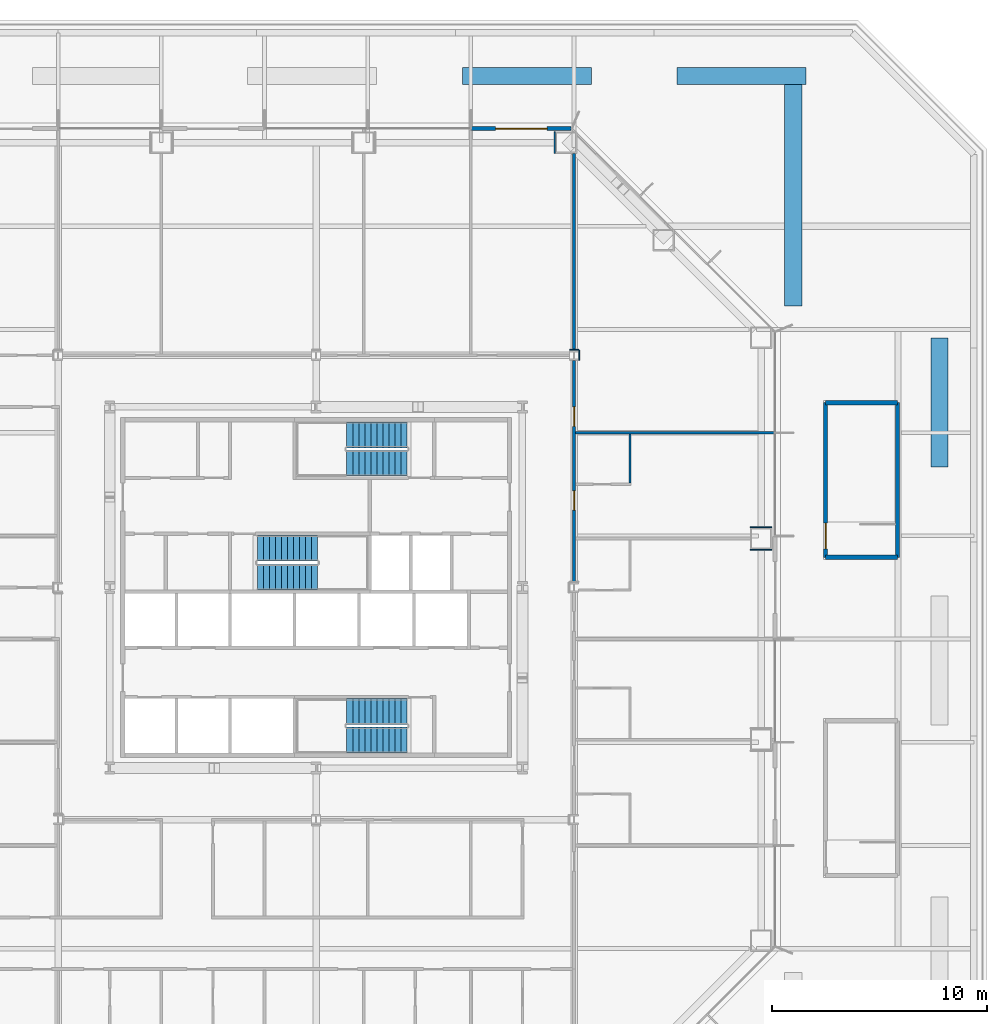
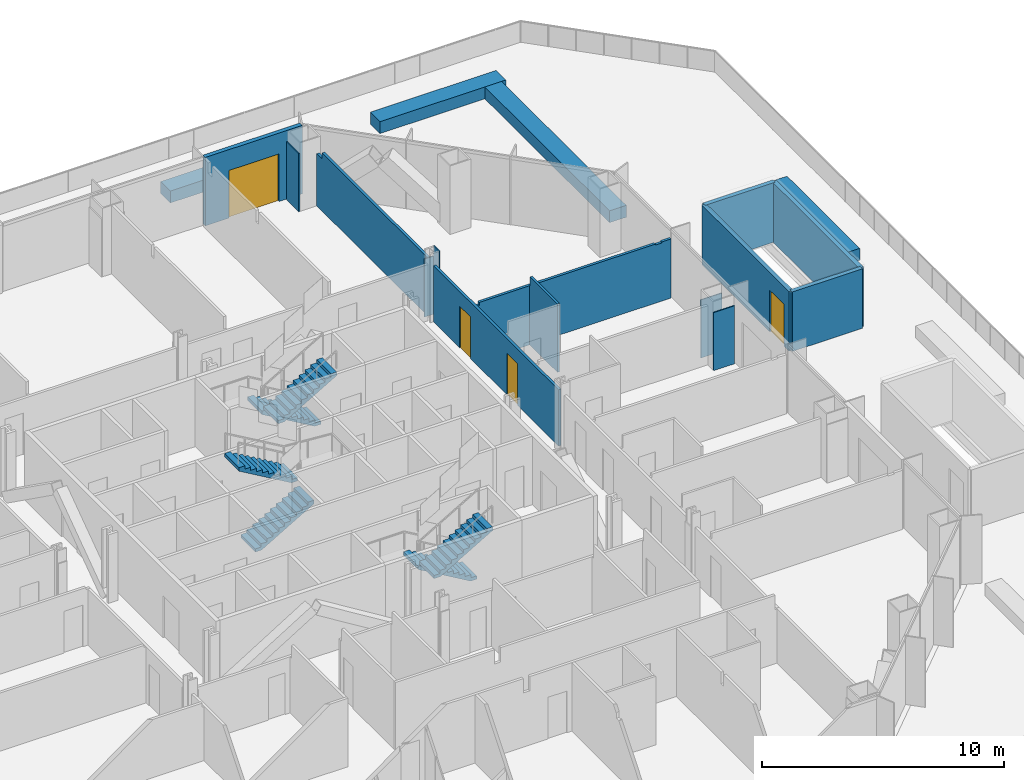
# One storey, part 17 of 18: 18 walls, 6 stair flights, 4 doors, 4 openings, 3 elements without a shape of their own.
"""IFC4 building model written with IfcOpenShell, lengths in metres."""

from ifc_helpers import new_model, si_unit, direction, frame, frame_2d, origin, place, context, subcontext, project, spatial, polyline, rectangle, outline, extrude, material, layer, layer_set, type_object, element, fill, aggregate, save


model = new_model("IFC4")

# Units and contexts
model_context = context("Model", 3, precision=1e-05, world=origin(), true_north=direction((0.0, 1.0)))
body_context = subcontext(model_context, "Body", "Model", "MODEL_VIEW")
ifc_project = project(units=[si_unit("LENGTHUNIT", "METRE"), si_unit("AREAUNIT", "SQUARE_METRE"), si_unit("VOLUMEUNIT", "CUBIC_METRE"), si_unit("PLANEANGLEUNIT", "RADIAN"), si_unit("MASSUNIT", "GRAM", prefix="KILO")], contexts=[model_context])

# Site, building, storey
site_placement = place(None, origin())
site = spatial("IfcSite", under=ifc_project, at=site_placement, CompositionType="ELEMENT")
building_placement = place(site_placement, origin())
building = spatial("IfcBuilding", under=site, at=building_placement, Name="Cairn Pilgrim Tower", CompositionType="ELEMENT")
storey_placement = place(building_placement, frame((0.0, 0.0, 40.199951171875)))
storey = spatial("IfcBuildingStorey", under=building, at=storey_placement, Name="L07", CompositionType="ELEMENT", Elevation=40.199951171875)

# Wall, opening, door
ifc_material_1 = material(Name="Bronze anodised aluminium insulated sandwich panel with mineral wool fill", Category="aluminium")
ifc_layer_1 = layer(ifc_material_1, 0.199951171875)
ifc_layer_set_1 = layer_set([ifc_layer_1], Name="BRONZE INFILL FRAME WALL 200")
wall_type_1 = type_object("IfcWallType", Name="BRONZE INFILL FRAME WALL 200", PredefinedType="NOTDEFINED", material=ifc_layer_set_1)
wall_1_placement = place(storey_placement, frame((19.056396484375, 23.75, 0.0), z_axis=(0.0, 0.0, 1.0), x_axis=(-1.0, 0.0, 0.0)))
wall_1 = element("IfcWall", 1, at=wall_1_placement, inside=storey, type_object=wall_type_1, Name="Bronze infill frame wall IW-N1", PredefinedType="NOTDEFINED", context=body_context, shape_type="SweptSolid", body=[
    extrude(rectangle(XDim=4.62646484375, YDim=0.199951171875, at=frame_2d((2.313232421875, 0.0))), origin(), (0.0, 0.0, 1.0), 3.449951171875),
])
opening_1_placement = place(wall_1_placement, frame((1.108154296875, 0.0, 0.0)))
opening_1 = element("IfcOpeningElement", 2, at=opening_1_placement, cuts=wall_1, Name="Opening 0720B", PredefinedType="OPENING", context=body_context, shape_type="SweptSolid", body=[
    extrude(rectangle(XDim=2.39990234375, YDim=2.39990234375, at=frame_2d((1.199951171875, 1.199951171875))), frame((0.0, 0.10986328125, 0.0), z_axis=(0.0, -1.0, 0.0), x_axis=(1.0, 0.0, 0.0)), (0.0, 0.0, 1.0), 0.219970703125),
])
ifc_material_2 = material(Name="Bronze anodised aluminium frame with tinted low-E glass", Category="aluminium")
door_type_1 = type_object("IfcDoorType", Name="BALCONY SLIDING DOOR 2400x2400", OperationType="DOUBLE_DOOR_SLIDING", PredefinedType="DOOR", material=ifc_material_2)
door_1_placement = place(opening_1_placement, origin())
door_1 = element("IfcDoor", 3, at=door_1_placement, inside=storey, type_object=door_type_1, Name="Balcony sliding door 0720B", OperationType="SINGLE_SWING_LEFT", OverallHeight=2.39990234375, OverallWidth=2.39990234375, PredefinedType="DOOR", context=body_context, shape_type="SweptSolid", body=[
    extrude(rectangle(XDim=2.39990234375, YDim=2.39990234375, at=frame_2d((1.199951171875, 1.199951171875))), frame((0.0, 0.02490234375, 0.0), z_axis=(0.0, -1.0, 0.0), x_axis=(1.0, 0.0, 0.0)), (0.0, 0.0, 1.0), 0.050048828125),
])
fill(opening_1, door_1)

# Wall
ifc_material_3 = material(Name="Gypsum partition")
ifc_layer_2 = layer(ifc_material_3, 0.10009765625)
ifc_layer_set_2 = layer_set([ifc_layer_2], Name="PARTITION 100 DRYWALL")
wall_type_2 = type_object("IfcWallType", Name="PARTITION 100 DRYWALL", PredefinedType="PARTITIONING", material=ifc_layer_set_2)
wall_2_placement = place(storey_placement, frame((21.800048828125, 7.25, 0.0), z_axis=(0.0, 0.0, 1.0), x_axis=(0.0, 1.0, 0.0)))
element("IfcWall", 4, at=wall_2_placement, inside=storey, type_object=wall_type_2, Name="PARTITION W070", PredefinedType="PARTITIONING", context=body_context, shape_type="SweptSolid", body=[
    extrude(outline(polyline([(0.0, 0.0), (2.28759765625, 0.0), (2.28759765625, 2.97998046875), (2.2548828125, 2.97998046875), (2.2529296875, 3.449951171875), (0.0, 3.449951171875), (0.0, 0.0)])), frame((0.0, 0.050048828125, 0.0), z_axis=(0.0, -1.0, 0.0), x_axis=(1.0, 0.0, 0.0)), (0.0, 0.0, 1.0), 0.10009765625),
])

# Wall, openings, doors
ifc_layer_3 = layer(ifc_material_3, 0.125)
ifc_layer_set_3 = layer_set([ifc_layer_3], Name="PARTITION 125 DRYWALL EI 60")
wall_type_3 = type_object("IfcWallType", Name="PARTITION 125 DRYWALL EI 60", PredefinedType="PARTITIONING", material=ifc_layer_set_3)
wall_3_placement = place(storey_placement, frame((19.199951171875, 2.636962890625, 0.0), z_axis=(0.0, 0.0, 1.0), x_axis=(0.0, 1.0, 0.0)))
wall_3 = element("IfcWall", 5, at=wall_3_placement, inside=storey, type_object=wall_type_3, Name="PARTITION W063", PredefinedType="PARTITIONING", context=body_context, shape_type="SweptSolid", body=[
    extrude(rectangle(XDim=10.325927734375, YDim=0.125, at=frame_2d((5.1630859375, 0.0))), origin(), (0.0, 0.0, 1.0), 2.830078125),
])
opening_2_placement = place(wall_3_placement, frame((3.363037109375, 0.0, 0.0)))
opening_2 = element("IfcOpeningElement", 6, at=opening_2_placement, cuts=wall_3, Name="Opening 0725", PredefinedType="OPENING", context=body_context, shape_type="SweptSolid", body=[
    extrude(rectangle(XDim=0.89990234375, YDim=2.10009765625, at=frame_2d((0.449951171875, 1.050048828125))), frame((0.0, 0.072509765625, 0.0), z_axis=(0.0, -1.0, 0.0), x_axis=(1.0, 0.0, 0.0)), (0.0, 0.0, 1.0), 0.14501953125),
])
opening_3_placement = place(wall_3_placement, frame((7.262939453125, 0.0, 0.0)))
opening_3 = element("IfcOpeningElement", 7, at=opening_3_placement, cuts=wall_3, Name="Opening 0726", PredefinedType="OPENING", context=body_context, shape_type="SweptSolid", body=[
    extrude(rectangle(XDim=0.89990234375, YDim=2.10009765625, at=frame_2d((0.449951171875, 1.050048828125))), frame((0.0, 0.072509765625, 0.0), z_axis=(0.0, -1.0, 0.0), x_axis=(1.0, 0.0, 0.0)), (0.0, 0.0, 1.0), 0.14501953125),
])
ifc_material_4 = material(Name="Steel-faced fire door leaf", Category="steel")
door_type_2 = type_object("IfcDoorType", Name="FIRE DOOR 900x2100 FD30S", OperationType="NOTDEFINED", PredefinedType="DOOR", material=ifc_material_4)
door_2_placement = place(opening_2_placement, frame((0.89990234375, 0.0, 0.0), z_axis=(0.0, 0.0, 1.0), x_axis=(-1.0, 0.0, 0.0)))
door_2 = element("IfcDoor", 8, at=door_2_placement, inside=storey, type_object=door_type_2, Name="DOOR 0725", OperationType="SINGLE_SWING_LEFT", OverallHeight=2.10009765625, OverallWidth=0.89990234375, PredefinedType="DOOR", context=body_context, shape_type="SweptSolid", body=[
    extrude(rectangle(XDim=0.89990234375, YDim=2.10009765625, at=frame_2d((0.449951171875, 1.050048828125))), frame((0.0, 0.02490234375, 0.0), z_axis=(0.0, -1.0, 0.0), x_axis=(1.0, 0.0, 0.0)), (0.0, 0.0, 1.0), 0.050048828125),
])
fill(opening_2, door_2)
door_3_placement = place(opening_3_placement, frame((0.89990234375, 0.0, 0.0), z_axis=(0.0, 0.0, 1.0), x_axis=(-1.0, 0.0, 0.0)))
door_3 = element("IfcDoor", 9, at=door_3_placement, inside=storey, type_object=door_type_2, Name="DOOR 0726", OperationType="SINGLE_SWING_LEFT", OverallHeight=2.10009765625, OverallWidth=0.89990234375, PredefinedType="DOOR", context=body_context, shape_type="SweptSolid", body=[
    extrude(rectangle(XDim=0.89990234375, YDim=2.10009765625, at=frame_2d((0.449951171875, 1.050048828125))), frame((0.0, 0.02490234375, 0.0), z_axis=(0.0, -1.0, 0.0), x_axis=(1.0, 0.0, 0.0)), (0.0, 0.0, 1.0), 0.050048828125),
])
fill(opening_3, door_3)

# Walls
wall_4_placement = place(storey_placement, frame((19.262451171875, 9.60009765625, 0.0), z_axis=(0.0, 0.0, 1.0), x_axis=(1.0, 0.0, 0.0)))
element("IfcWall", 10, at=wall_4_placement, inside=storey, type_object=wall_type_3, Name="PARTITION W072", PredefinedType="PARTITIONING", context=body_context, shape_type="SweptSolid", body=[
    extrude(outline(polyline([(0.0, 0.0), (9.2275390625, 0.0), (9.2275390625, 2.97998046875), (8.78759765625, 2.97998046875), (8.785400390625, 2.929931640625), (8.487548828125, 2.929931640625), (8.485595703125, 2.97998046875), (0.08740234375, 2.97998046875), (0.08544921875, 2.830078125), (0.0, 2.830078125), (0.0, 0.0)])), frame((0.0, 0.0625, 0.0), z_axis=(0.0, -1.0, 0.0), x_axis=(1.0, 0.0, 0.0)), (0.0, 0.0, 1.0), 0.125),
])
wall_5_placement = place(storey_placement, frame((19.199951171875, 13.43701171875, 0.0), z_axis=(0.0, 0.0, 1.0), x_axis=(0.0, 1.0, 0.0)))
element("IfcWall", 11, at=wall_5_placement, inside=storey, type_object=wall_type_3, Name="PARTITION W084", PredefinedType="PARTITIONING", context=body_context, shape_type="SweptSolid", body=[
    extrude(outline(polyline([(0.0, 0.0), (9.1630859375, 0.0), (9.1630859375, 2.630126953125), (8.732666015625, 2.630126953125), (8.730712890625, 2.929931640625), (0.0, 2.929931640625), (0.0, 0.0)])), frame((0.0, 0.0625, 0.0), z_axis=(0.0, -1.0, 0.0), x_axis=(1.0, 0.0, 0.0)), (0.0, 0.0, 1.0), 0.125),
])
ifc_layer_4 = layer(ifc_material_3, 0.050048828125)
ifc_layer_set_4 = layer_set([ifc_layer_4], Name="PARTITION 50 DRYWALL EI 60")
wall_type_4 = type_object("IfcWallType", Name="PARTITION 50 DRYWALL EI 60", PredefinedType="PARTITIONING", material=ifc_layer_set_4)
wall_6_placement = place(storey_placement, frame((19.43701171875, 12.962890625, 0.0), z_axis=(0.0, 0.0, 1.0), x_axis=(0.0, 1.0, 0.0)))
element("IfcWall", 12, at=wall_6_placement, inside=storey, type_object=wall_type_4, Name="COLUMN CASING WC11", PredefinedType="PARTITIONING", context=body_context, shape_type="SweptSolid", body=[
    extrude(rectangle(XDim=0.47412109375, YDim=0.050048828125, at=frame_2d((0.237060546875, 0.0))), origin(), (0.0, 0.0, 1.0), 3.449951171875),
])
for number, where, z_axis, x_axis, name in (
    (13, (27.39990234375, 5.20068359375, 0.0), (0.0, 0.0, 1.0), (1.0, 0.0, 0.0), "COLUMN CASING WC29"),
    (14, (27.39990234375, 4.150634765625, 0.0), (0.0, 0.0, 1.0), (1.0, 0.0, 0.0), "COLUMN CASING WC30"),
):
    element("IfcWall", number, at=place(storey_placement, frame(where, z_axis=z_axis, x_axis=x_axis)), inside=storey, type_object=wall_type_4, Name=name, PredefinedType="PARTITIONING", context=body_context, shape_type="SweptSolid", body=[
        extrude(rectangle(XDim=1.0, YDim=0.050048828125, at=frame_2d((0.5, 0.0))), origin(), (0.0, 0.0, 1.0), 2.929931640625),
    ])
wall_7_placement = place(storey_placement, frame((18.988037109375, 13.4619140625, 0.0), z_axis=(0.0, 0.0, 1.0), x_axis=(1.0, 0.0, 0.0)))
element("IfcWall", 15, at=wall_7_placement, inside=storey, type_object=wall_type_4, Name="COLUMN CASING WC33", PredefinedType="PARTITIONING", context=body_context, shape_type="SweptSolid", body=[
    extrude(rectangle(XDim=0.424072265625, YDim=0.050048828125, at=frame_2d((0.2119140625, 0.0))), origin(), (0.0, 0.0, 1.0), 2.929931640625),
])
wall_8_placement = place(storey_placement, frame((18.30224609375, 22.60009765625, 0.0), z_axis=(0.0, 0.0, 1.0), x_axis=(0.0, 1.0, 0.0)))
element("IfcWall", 16, at=wall_8_placement, inside=storey, type_object=wall_type_4, Name="COLUMN CASING WC34", PredefinedType="PARTITIONING", context=body_context, shape_type="SweptSolid", body=[
    extrude(rectangle(XDim=1.0, YDim=0.050048828125, at=frame_2d((0.5, 0.0))), origin(), (0.0, 0.0, 1.0), 2.929931640625),
])
ifc_material_5 = material(Name="Concrete C35/45", Category="concrete")
ifc_layer_5 = layer(ifc_material_5, 0.800048828125)
ifc_layer_set_5 = layer_set([ifc_layer_5], Name="PLANTER TROUGH WALL 800 CONCRETE C35/45")
wall_type_5 = type_object("IfcWallType", Name="PLANTER TROUGH WALL 800 CONCRETE C35/45", PredefinedType="NOTDEFINED", material=ifc_layer_set_5)
for number, where, z_axis, x_axis, name in (
    (17, (14.0, 26.199951171875, 0.0), (0.0, 0.0, 1.0), (1.0, 0.0, 0.0), "PLANTER"),
    (18, (24.0, 26.199951171875, 0.0), (0.0, 0.0, 1.0), (1.0, 0.0, 0.0), "PLANTER"),
    (19, (36.199951171875, 8.0, 0.0), (0.0, 0.0, 1.0), (0.0, 1.0, 0.0), "PLANTER"),
):
    element("IfcWall", number, at=place(storey_placement, frame(where, z_axis=z_axis, x_axis=x_axis)), inside=storey, type_object=wall_type_5, Name=name, PredefinedType="NOTDEFINED", context=body_context, shape_type="SweptSolid", body=[
        extrude(rectangle(XDim=6.0, YDim=0.800048828125, at=frame_2d((3.0, 0.0))), origin(), (0.0, 0.0, 1.0), 0.60009765625),
    ])
wall_9_placement = place(storey_placement, frame((29.39990234375, 15.5, 0.0), z_axis=(0.0, 0.0, 1.0), x_axis=(0.0, 1.0, 0.0)))
element("IfcWall", 20, at=wall_9_placement, inside=storey, type_object=wall_type_5, Name="PLANTER", PredefinedType="NOTDEFINED", context=body_context, shape_type="SweptSolid", body=[
    extrude(rectangle(XDim=11.0, YDim=0.800048828125, at=frame_2d((5.5, 0.0))), origin(), (0.0, 0.0, 1.0), 0.60009765625),
])

# Wall, opening, door
ifc_layer_6 = layer(ifc_material_5, 0.199951171875)
ifc_layer_set_6 = layer_set([ifc_layer_6], Name="PODIUM STAIR WALL 200 EI 120")
wall_type_6 = type_object("IfcWallType", Name="PODIUM STAIR WALL 200 EI 120", PredefinedType="SOLIDWALL", material=ifc_layer_set_6)
wall_10_placement = place(storey_placement, frame((30.89990234375, 3.800048828125, 0.0), z_axis=(0.0, 0.0, 1.0), x_axis=(0.0, 1.0, 0.0)))
wall_10 = element("IfcWall", 21, at=wall_10_placement, inside=storey, type_object=wall_type_6, Name="ES3 STAIR HEAD-HOUSE WALL W", PredefinedType="SOLIDWALL", context=body_context, shape_type="SweptSolid", body=[
    extrude(rectangle(XDim=7.199951171875, YDim=0.199951171875, at=frame_2d((3.60009765625, 0.0))), origin(), (0.0, 0.0, 1.0), 3.0),
])
opening_4_placement = place(wall_10_placement, frame((0.39990234375, 0.0, 0.0)))
opening_4 = element("IfcOpeningElement", 22, at=opening_4_placement, cuts=wall_10, Name="Opening X-ES3T", PredefinedType="OPENING", context=body_context, shape_type="SweptSolid", body=[
    extrude(rectangle(XDim=1.199951171875, YDim=2.10009765625, at=frame_2d((0.60009765625, 1.050048828125))), frame((0.0, 0.10986328125, 0.0), z_axis=(0.0, -1.0, 0.0), x_axis=(1.0, 0.0, 0.0)), (0.0, 0.0, 1.0), 0.219970703125),
])
ifc_material_6 = material(Name="Painted steel", Category="steel")
door_type_3 = type_object("IfcDoorType", Name="PODIUM EXIT DOOR 1200x2100 FD60S", OperationType="SINGLE_SWING_LEFT", PredefinedType="DOOR", material=ifc_material_6)
door_4_placement = place(opening_4_placement, origin())
door_4 = element("IfcDoor", 23, at=door_4_placement, inside=storey, type_object=door_type_3, Name="X-ES3T STAIR TERRACE DOOR", OperationType="SINGLE_SWING_LEFT", OverallHeight=2.10009765625, OverallWidth=1.199951171875, PredefinedType="DOOR", context=body_context, shape_type="SweptSolid", body=[
    extrude(rectangle(XDim=1.199951171875, YDim=2.10009765625, at=frame_2d((0.60009765625, 1.050048828125))), frame((0.0, 0.02490234375, 0.0), z_axis=(0.0, -1.0, 0.0), x_axis=(1.0, 0.0, 0.0)), (0.0, 0.0, 1.0), 0.050048828125),
])
fill(opening_4, door_4)

# Walls
wall_11_placement = place(storey_placement, frame((30.89990234375, 11.0, 0.0), z_axis=(0.0, 0.0, 1.0), x_axis=(1.0, 0.0, 0.0)))
element("IfcWall", 24, at=wall_11_placement, inside=storey, type_object=wall_type_6, Name="ES3 STAIR HEAD-HOUSE WALL N", PredefinedType="SOLIDWALL", context=body_context, shape_type="SweptSolid", body=[
    extrude(rectangle(XDim=3.35009765625, YDim=0.199951171875, at=frame_2d((1.675048828125, 0.0))), origin(), (0.0, 0.0, 1.0), 3.0),
])
wall_12_placement = place(storey_placement, frame((34.25, 11.0, 0.0), z_axis=(0.0, 0.0, 1.0), x_axis=(0.0, -1.0, 0.0)))
element("IfcWall", 25, at=wall_12_placement, inside=storey, type_object=wall_type_6, Name="ES3 STAIR HEAD-HOUSE WALL E", PredefinedType="SOLIDWALL", context=body_context, shape_type="SweptSolid", body=[
    extrude(rectangle(XDim=7.199951171875, YDim=0.199951171875, at=frame_2d((3.60009765625, 0.0))), origin(), (0.0, 0.0, 1.0), 3.0),
])
wall_13_placement = place(storey_placement, frame((34.25, 3.800048828125, 0.0), z_axis=(0.0, 0.0, 1.0), x_axis=(-1.0, 0.0, 0.0)))
element("IfcWall", 26, at=wall_13_placement, inside=storey, type_object=wall_type_6, Name="ES3 STAIR HEAD-HOUSE WALL S", PredefinedType="SOLIDWALL", context=body_context, shape_type="SweptSolid", body=[
    extrude(rectangle(XDim=3.35009765625, YDim=0.199951171875, at=frame_2d((1.675048828125, 0.0))), origin(), (0.0, 0.0, 1.0), 3.0),
])

# Stair, stair flights
ifc_material_7 = material(Name="Concrete C32/40", Category="concrete")
stair_type = type_object("IfcStairType", Name="EXIT STAIR 1200", PredefinedType="HALF_TURN_STAIR", material=ifc_material_7)
stair_1_placement = place(storey_placement, origin())
stair_1 = element("IfcStair", 27, at=stair_1_placement, inside=storey, type_object=stair_type, Name="L07 Exit Stair A", PredefinedType="HALF_TURN_STAIR")
stair_flight_type = type_object("IfcStairFlightType", Name="STAIR FLIGHT 1200", PredefinedType="STRAIGHT", material=ifc_material_7)
stair_flight_1_placement = place(storey_placement, frame((11.425048828125, -3.375, 0.0), z_axis=(0.0, 0.0, 1.0), x_axis=(-1.0, 0.0, 0.0)))
stair_flight_1 = element("IfcStairFlight", 28, at=stair_flight_1_placement, type_object=stair_flight_type, Name="ST-A flight 1", NumberOfRisers=11, NumberOfTreads=10, PredefinedType="STRAIGHT", RiserHeight=0.163636364, TreadLength=0.28, context=body_context, shape_type="SweptSolid", body=[
    extrude(outline(polyline([(0.0, 0.0), (0.0, 0.16357421875), (0.280029296875, 0.16357421875), (0.280029296875, 0.327392578125), (0.56005859375, 0.327392578125), (0.56005859375, 0.490966796875), (0.840087890625, 0.490966796875), (0.840087890625, 0.654541015625), (1.1201171875, 0.654541015625), (1.1201171875, 0.818115234375), (1.39990234375, 0.818115234375), (1.39990234375, 0.98193359375), (1.679931640625, 0.98193359375), (1.679931640625, 1.1455078125), (1.9599609375, 1.1455078125), (1.9599609375, 1.30908203125), (2.239990234375, 1.30908203125), (2.239990234375, 1.47265625), (2.52001953125, 1.47265625), (2.52001953125, 1.636474609375), (2.800048828125, 1.636474609375), (2.800048828125, 1.800048828125), (2.800048828125, 1.462646484375), (0.297119140625, 0.0), (0.0, 0.0)])), frame((0.0, 0.60009765625, 0.0), z_axis=(0.0, -1.0, 0.0), x_axis=(1.0, 0.0, 0.0)), (0.0, 0.0, 1.0), 1.199951171875),
])
stair_flight_2_placement = place(storey_placement, frame((8.625, -4.699951171875, 1.800048828125), z_axis=(0.0, 0.0, 1.0), x_axis=(1.0, 0.0, 0.0)))
stair_flight_2 = element("IfcStairFlight", 29, at=stair_flight_2_placement, type_object=stair_flight_type, Name="ST-A flight 2", NumberOfRisers=11, NumberOfTreads=10, PredefinedType="STRAIGHT", RiserHeight=0.163636364, TreadLength=0.28, context=body_context, shape_type="SweptSolid", body=[
    extrude(outline(polyline([(0.0, 0.0), (0.0, 0.16357421875), (0.280029296875, 0.16357421875), (0.280029296875, 0.327392578125), (0.56005859375, 0.327392578125), (0.56005859375, 0.490966796875), (0.840087890625, 0.490966796875), (0.840087890625, 0.654541015625), (1.1201171875, 0.654541015625), (1.1201171875, 0.818115234375), (1.39990234375, 0.818115234375), (1.39990234375, 0.98193359375), (1.679931640625, 0.98193359375), (1.679931640625, 1.1455078125), (1.9599609375, 1.1455078125), (1.9599609375, 1.30908203125), (2.239990234375, 1.30908203125), (2.239990234375, 1.47265625), (2.52001953125, 1.47265625), (2.52001953125, 1.636474609375), (2.800048828125, 1.636474609375), (2.800048828125, 1.800048828125), (2.800048828125, 1.462646484375), (0.297119140625, 0.0), (0.0, 0.0)])), frame((0.0, 0.60009765625, 0.0), z_axis=(0.0, -1.0, 0.0), x_axis=(1.0, 0.0, 0.0)), (0.0, 0.0, 1.0), 1.199951171875),
])
aggregate(stair_1, [stair_flight_1, stair_flight_2])

stair_2_placement = place(storey_placement, origin())
stair_2 = element("IfcStair", 30, at=stair_2_placement, inside=storey, type_object=stair_type, Name="L07 Exit Stair B", PredefinedType="HALF_TURN_STAIR")
stair_flight_3_placement = place(storey_placement, frame((4.47509765625, 2.875, 0.0), z_axis=(0.0, 0.0, 1.0), x_axis=(1.0, 0.0, 0.0)))
stair_flight_3 = element("IfcStairFlight", 31, at=stair_flight_3_placement, type_object=stair_flight_type, Name="ST-B flight 1", NumberOfRisers=11, NumberOfTreads=10, PredefinedType="STRAIGHT", RiserHeight=0.163636364, TreadLength=0.28, context=body_context, shape_type="SweptSolid", body=[
    extrude(outline(polyline([(0.0, 0.0), (0.0, 0.16357421875), (0.280029296875, 0.16357421875), (0.280029296875, 0.327392578125), (0.56005859375, 0.327392578125), (0.56005859375, 0.490966796875), (0.840087890625, 0.490966796875), (0.840087890625, 0.654541015625), (1.1201171875, 0.654541015625), (1.1201171875, 0.818115234375), (1.39990234375, 0.818115234375), (1.39990234375, 0.98193359375), (1.679931640625, 0.98193359375), (1.679931640625, 1.1455078125), (1.9599609375, 1.1455078125), (1.9599609375, 1.30908203125), (2.239990234375, 1.30908203125), (2.239990234375, 1.47265625), (2.52001953125, 1.47265625), (2.52001953125, 1.636474609375), (2.800048828125, 1.636474609375), (2.800048828125, 1.800048828125), (2.800048828125, 1.462646484375), (0.297119140625, 0.0), (0.0, 0.0)])), frame((0.0, 0.60009765625, 0.0), z_axis=(0.0, -1.0, 0.0), x_axis=(1.0, 0.0, 0.0)), (0.0, 0.0, 1.0), 1.199951171875),
])
stair_flight_4_placement = place(storey_placement, frame((7.27490234375, 4.22509765625, 1.800048828125), z_axis=(0.0, 0.0, 1.0), x_axis=(-1.0, 0.0, 0.0)))
stair_flight_4 = element("IfcStairFlight", 32, at=stair_flight_4_placement, type_object=stair_flight_type, Name="ST-B flight 2", NumberOfRisers=11, NumberOfTreads=10, PredefinedType="STRAIGHT", RiserHeight=0.163636364, TreadLength=0.28, context=body_context, shape_type="SweptSolid", body=[
    extrude(outline(polyline([(0.0, 0.0), (0.0, 0.16357421875), (0.280029296875, 0.16357421875), (0.280029296875, 0.327392578125), (0.56005859375, 0.327392578125), (0.56005859375, 0.490966796875), (0.840087890625, 0.490966796875), (0.840087890625, 0.654541015625), (1.1201171875, 0.654541015625), (1.1201171875, 0.818115234375), (1.39990234375, 0.818115234375), (1.39990234375, 0.98193359375), (1.679931640625, 0.98193359375), (1.679931640625, 1.1455078125), (1.9599609375, 1.1455078125), (1.9599609375, 1.30908203125), (2.239990234375, 1.30908203125), (2.239990234375, 1.47265625), (2.52001953125, 1.47265625), (2.52001953125, 1.636474609375), (2.800048828125, 1.636474609375), (2.800048828125, 1.800048828125), (2.800048828125, 1.462646484375), (0.297119140625, 0.0), (0.0, 0.0)])), frame((0.0, 0.60009765625, 0.0), z_axis=(0.0, -1.0, 0.0), x_axis=(1.0, 0.0, 0.0)), (0.0, 0.0, 1.0), 1.199951171875),
])
aggregate(stair_2, [stair_flight_3, stair_flight_4])

stair_3_placement = place(storey_placement, origin())
stair_3 = element("IfcStair", 33, at=stair_3_placement, inside=storey, type_object=stair_type, Name="L07 Exit Stair C", PredefinedType="HALF_TURN_STAIR")
stair_flight_5_placement = place(storey_placement, frame((11.425048828125, 9.5, 0.0), z_axis=(0.0, 0.0, 1.0), x_axis=(-1.0, 0.0, 0.0)))
stair_flight_5 = element("IfcStairFlight", 34, at=stair_flight_5_placement, type_object=stair_flight_type, Name="ST-C flight 1", NumberOfRisers=11, NumberOfTreads=10, PredefinedType="STRAIGHT", RiserHeight=0.163636364, TreadLength=0.28, context=body_context, shape_type="SweptSolid", body=[
    extrude(outline(polyline([(0.0, 0.0), (0.0, 0.16357421875), (0.280029296875, 0.16357421875), (0.280029296875, 0.327392578125), (0.56005859375, 0.327392578125), (0.56005859375, 0.490966796875), (0.840087890625, 0.490966796875), (0.840087890625, 0.654541015625), (1.1201171875, 0.654541015625), (1.1201171875, 0.818115234375), (1.39990234375, 0.818115234375), (1.39990234375, 0.98193359375), (1.679931640625, 0.98193359375), (1.679931640625, 1.1455078125), (1.9599609375, 1.1455078125), (1.9599609375, 1.30908203125), (2.239990234375, 1.30908203125), (2.239990234375, 1.47265625), (2.52001953125, 1.47265625), (2.52001953125, 1.636474609375), (2.800048828125, 1.636474609375), (2.800048828125, 1.800048828125), (2.800048828125, 1.462646484375), (0.297119140625, 0.0), (0.0, 0.0)])), frame((0.0, 0.60009765625, 0.0), z_axis=(0.0, -1.0, 0.0), x_axis=(1.0, 0.0, 0.0)), (0.0, 0.0, 1.0), 1.199951171875),
])
stair_flight_6_placement = place(storey_placement, frame((8.625, 8.175048828125, 1.800048828125), z_axis=(0.0, 0.0, 1.0), x_axis=(1.0, 0.0, 0.0)))
stair_flight_6 = element("IfcStairFlight", 35, at=stair_flight_6_placement, type_object=stair_flight_type, Name="ST-C flight 2", NumberOfRisers=11, NumberOfTreads=10, PredefinedType="STRAIGHT", RiserHeight=0.163636364, TreadLength=0.28, context=body_context, shape_type="SweptSolid", body=[
    extrude(outline(polyline([(0.0, 0.0), (0.0, 0.16357421875), (0.280029296875, 0.16357421875), (0.280029296875, 0.327392578125), (0.56005859375, 0.327392578125), (0.56005859375, 0.490966796875), (0.840087890625, 0.490966796875), (0.840087890625, 0.654541015625), (1.1201171875, 0.654541015625), (1.1201171875, 0.818115234375), (1.39990234375, 0.818115234375), (1.39990234375, 0.98193359375), (1.679931640625, 0.98193359375), (1.679931640625, 1.1455078125), (1.9599609375, 1.1455078125), (1.9599609375, 1.30908203125), (2.239990234375, 1.30908203125), (2.239990234375, 1.47265625), (2.52001953125, 1.47265625), (2.52001953125, 1.636474609375), (2.800048828125, 1.636474609375), (2.800048828125, 1.800048828125), (2.800048828125, 1.462646484375), (0.297119140625, 0.0), (0.0, 0.0)])), frame((0.0, 0.60009765625, 0.0), z_axis=(0.0, -1.0, 0.0), x_axis=(1.0, 0.0, 0.0)), (0.0, 0.0, 1.0), 1.199951171875),
])
aggregate(stair_3, [stair_flight_5, stair_flight_6])

save(model, "model.ifc")
